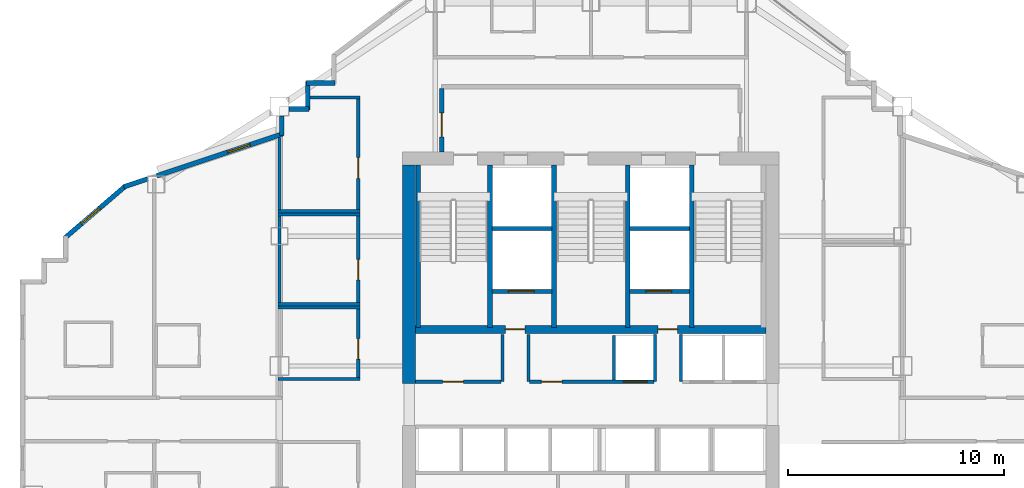
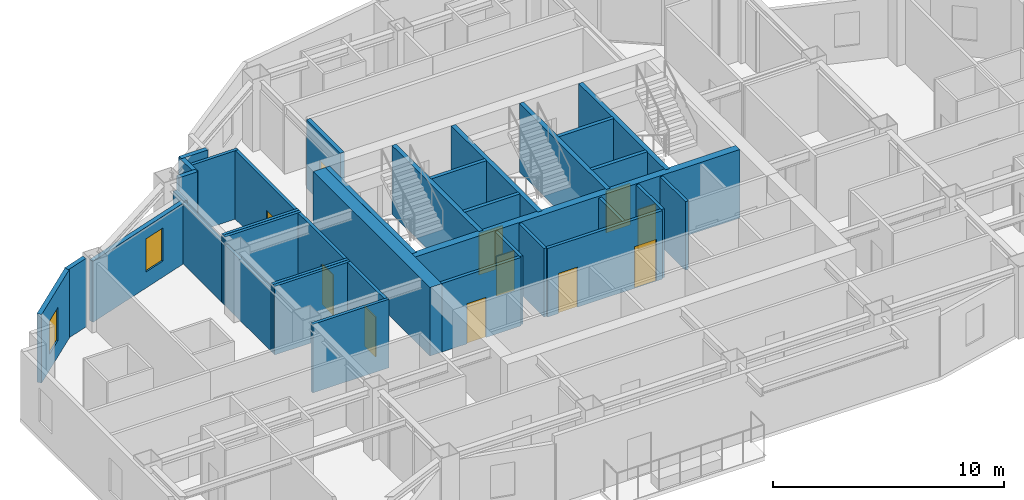
# One storey, part 6 of 11: 37 walls, 11 doors, 2 windows, 13 openings.
"""IFC4 building model written with IfcOpenShell, lengths in metres."""

import ifcopenshell
import ifcopenshell.guid

model = None  # the IFC model being written
_history = None  # IfcOwnerHistory: only IFC2X3 demands one
_inside = {}  # id of a spatial element -> (the spatial element, [elements in it])
_under = {}  # id of a project, library or spatial element -> (it, [spatial elements below it])
_declared = {}  # id of a project -> (the project, [libraries it declares])
_typed = {}  # id of a type object -> (the type object, [elements of that type])
_made_of = {}  # id of a material, layer set ... -> (it, [elements and type objects made of it])


def new_model(schema):
    """Start an empty IFC model of exactly this schema.

    Asked for "IFC4X3", IfcOpenShell would pick the latest addendum, in which some entities
    have other attributes; the version numbers below select the first issue.
    IFC2X3 requires an IfcOwnerHistory on every rooted entity: one is made here for all.
    """
    global model, _history
    if schema == "IFC4X3":
        model = ifcopenshell.file(schema_version=(4, 3, 0, 0))
    else:
        model = ifcopenshell.file(schema=schema)
    _inside.clear()
    _under.clear()
    _declared.clear()
    _typed.clear()
    _made_of.clear()
    _history = None
    if model.schema == "IFC2X3":
        org = make("IfcOrganization", Name="unknown")
        user = make(
            "IfcPersonAndOrganization",
            ThePerson=make("IfcPerson", FamilyName="unknown"),
            TheOrganization=org,
        )
        app = make(
            "IfcApplication",
            ApplicationDeveloper=org,
            Version="unknown",
            ApplicationFullName="unknown",
            ApplicationIdentifier="unknown",
        )
        _history = make(
            "IfcOwnerHistory",
            OwningUser=user,
            OwningApplication=app,
            ChangeAction="ADDED",
            CreationDate=0,
        )
    return model


def make(cls, **values):
    """One entity of the class cls with the attributes given. An attribute that is None is left unset."""
    return model.create_entity(
        cls, **{name: value for name, value in values.items() if value is not None}
    )


def rooted(cls, **values):
    """An entity with a GlobalId (a new one), such as an element, a storey or a relation."""
    return make(cls, GlobalId=ifcopenshell.guid.new(), OwnerHistory=_history, **values)


def si_unit(unit_type, name, prefix=None):
    """IfcSIUnit, for example si_unit("LENGTHUNIT", "METRE", prefix="MILLI")."""
    return make("IfcSIUnit", UnitType=unit_type, Prefix=prefix, Name=name)


def assignment(units):
    """IfcUnitAssignment: the units of a project."""
    return None if units is None else make("IfcUnitAssignment", Units=units)


def point(xyz):
    """IfcCartesianPoint."""
    return None if xyz is None else make("IfcCartesianPoint", Coordinates=xyz)


def direction(xyz):
    """IfcDirection."""
    return None if xyz is None else make("IfcDirection", DirectionRatios=xyz)


def frame(location, z_axis=None, x_axis=None):
    """IfcAxis2Placement3D, a coordinate frame: its origin and axes. An axis left out is left unset."""
    return make(
        "IfcAxis2Placement3D",
        Location=point(location),
        Axis=direction(z_axis),
        RefDirection=direction(x_axis),
    )


def frame_2d(location, x_axis=None):
    """IfcAxis2Placement2D, a coordinate frame in the plane: its origin and x axis."""
    return make(
        "IfcAxis2Placement2D", Location=point(location), RefDirection=direction(x_axis)
    )


def origin():
    """The frame at (0, 0, 0) with its axes left unset."""
    return frame((0.0, 0.0, 0.0))


def place(relative_to, where):
    """IfcLocalPlacement: puts the frame where relative to a parent placement (None: the world)."""
    return make(
        "IfcLocalPlacement", PlacementRelTo=relative_to, RelativePlacement=where
    )


def context(
    kind, dimensions, precision=None, world=None, true_north=None, identifier=None
):
    """IfcGeometricRepresentationContext, for example the 3D "Model" context."""
    return make(
        "IfcGeometricRepresentationContext",
        ContextIdentifier=identifier,
        ContextType=kind,
        CoordinateSpaceDimension=dimensions,
        Precision=precision,
        WorldCoordinateSystem=world,
        TrueNorth=true_north,
    )


def subcontext(parent, identifier, kind, view, scale=None):
    """IfcGeometricRepresentationSubContext, for example "Body" below "Model"."""
    return make(
        "IfcGeometricRepresentationSubContext",
        ContextIdentifier=identifier,
        ContextType=kind,
        ParentContext=parent,
        TargetScale=scale,
        TargetView=view,
    )


def project(units=None, contexts=None):
    """IfcProject with its units and contexts."""
    return rooted(
        "IfcProject",
        Name="project",
        RepresentationContexts=contexts,
        UnitsInContext=assignment(units),
    )


def spatial(cls, under=None, at=None, **own):
    """A site, building, storey or space (cls), placed at a placement, below another one or the project."""
    s = rooted(cls, ObjectPlacement=at, **own)
    if under is not None:
        _under.setdefault(under.id(), (under, []))[1].append(s)
    return s


def profile(cls, at=None, kind="AREA", **sizes):
    """A parametric profile (cls). Its sizes go by their IFC names, for example OverallWidth=200.0."""
    return make(cls, ProfileType=kind, Position=at, **sizes)


def rectangle(**sizes):
    """IfcRectangleProfileDef."""
    return profile("IfcRectangleProfileDef", **sizes)


def extrude(swept, where, along, depth):
    """IfcExtrudedAreaSolid: the profile swept, set in the frame where, extruded along a direction by depth."""
    return make(
        "IfcExtrudedAreaSolid",
        SweptArea=swept,
        Position=where,
        ExtrudedDirection=direction(along),
        Depth=depth,
    )


def shape(context_of_items, identifier, shape_type, items):
    """IfcShapeRepresentation: the items that make up one representation, for example the "Body"."""
    return make(
        "IfcShapeRepresentation",
        ContextOfItems=context_of_items,
        RepresentationIdentifier=identifier,
        RepresentationType=shape_type,
        Items=items,
    )


def material(Name=None, Category=None):
    """IfcMaterial."""
    return make("IfcMaterial", Name=Name, Category=Category)


def layer(
    of_material, thickness, ventilated=None, Name=None, Category=None, Priority=None
):
    """IfcMaterialLayer: one layer of a wall or slab, of a material (None: an air gap)."""
    return make(
        "IfcMaterialLayer",
        Material=of_material,
        LayerThickness=thickness,
        IsVentilated=ventilated,
        Name=Name,
        Category=Category,
        Priority=Priority,
    )


def layer_set(layers, Name=None):
    """IfcMaterialLayerSet."""
    return make("IfcMaterialLayerSet", MaterialLayers=layers, LayerSetName=Name)


def made_of(thing, what):
    """Note that an element or type object is made of a material, layer set ...; save() writes the relation."""
    if what is not None:
        _made_of.setdefault(what.id(), (what, []))[1].append(thing)
    return thing


def type_object(cls, material=None, **own):
    """A type object (cls), such as IfcWallType, which elements share."""
    return made_of(rooted(cls, **own), material)


def element(
    cls,
    number,
    at=None,
    inside=None,
    cuts=None,
    type_object=None,
    material=None,
    context=None,
    identifier="Body",
    shape_type=None,
    held_by="IfcProductDefinitionShape",
    body=None,
    shapes=None,
    **own,
):
    """One element of the class cls, such as IfcWall. Its Tag is "e" and its number.

    at: its placement. inside: the storey or other place that contains it. cuts: it is an
    opening in that element (IfcRelVoidsElement). A single representation is given by context,
    identifier, shape_type and body (its items); several are given by shapes. held_by: the class
    of the entity that holds the representations. save() writes the other relations.
    """
    e = rooted(cls, Tag="e%d" % number, ObjectPlacement=at, **own)
    if body is not None:
        shapes = [shape(context, identifier, shape_type, body)]
    if shapes is not None:
        e.Representation = make(held_by, Representations=shapes)
    if inside is not None:
        _inside.setdefault(inside.id(), (inside, []))[1].append(e)
    if cuts is not None:
        rooted(
            "IfcRelVoidsElement", RelatingBuildingElement=cuts, RelatedOpeningElement=e
        )
    if type_object is not None:
        _typed.setdefault(type_object.id(), (type_object, []))[1].append(e)
    return made_of(e, material)


def fill(opening, filler):
    """IfcRelFillsElement: the door or window that sits in an opening."""
    return rooted(
        "IfcRelFillsElement",
        RelatingOpeningElement=opening,
        RelatedBuildingElement=filler,
    )


def aggregate(whole, parts):
    """IfcRelAggregates: a whole, such as a stair, and the parts it consists of."""
    return rooted("IfcRelAggregates", RelatingObject=whole, RelatedObjects=parts)


def save(model, path):
    """Write the relations noted so far, then the file.

    IfcRelAggregates (storeys below a building ...), IfcRelContainedInSpatialStructure (elements
    in a storey), IfcRelDefinesByType, IfcRelAssociatesMaterial and IfcRelDeclares: one each for
    every whole, place, type object, material and project.
    """
    for whole, parts in _under.values():
        aggregate(whole, parts)
    for where, things in _inside.values():
        rooted(
            "IfcRelContainedInSpatialStructure",
            RelatedElements=things,
            RelatingStructure=where,
        )
    for kind, things in _typed.values():
        rooted("IfcRelDefinesByType", RelatedObjects=things, RelatingType=kind)
    for what, things in _made_of.values():
        rooted("IfcRelAssociatesMaterial", RelatedObjects=things, RelatingMaterial=what)
    for by, libraries in _declared.values():
        rooted("IfcRelDeclares", RelatingContext=by, RelatedDefinitions=libraries)
    model.write(path)


model = new_model("IFC4")

# Units and contexts
model_context = context("Model", 3, precision=1e-05, world=origin(), true_north=direction((0.0, 1.0)))
body_context = subcontext(model_context, "Body", "Model", "MODEL_VIEW")
ifc_project = project(units=[si_unit("LENGTHUNIT", "METRE"), si_unit("AREAUNIT", "SQUARE_METRE"), si_unit("VOLUMEUNIT", "CUBIC_METRE"), si_unit("PLANEANGLEUNIT", "RADIAN"), si_unit("MASSUNIT", "GRAM", prefix="KILO")], contexts=[model_context])

# Site, building, storey
site_placement = place(None, origin())
site = spatial("IfcSite", under=ifc_project, at=site_placement, CompositionType="ELEMENT")
building_placement = place(site_placement, origin())
building = spatial("IfcBuilding", under=site, at=building_placement, Name="Haolan Belvedere Tower", CompositionType="ELEMENT")
storey_placement = place(building_placement, frame((0.0, 0.0, 172.800048828125)))
storey = spatial("IfcBuildingStorey", under=building, at=storey_placement, Name="L43", CompositionType="ELEMENT", Elevation=172.800048828125)

# Walls
ifc_material_1 = material(Name="Concrete C60/75", Category="concrete")
ifc_layer_1 = layer(ifc_material_1, 0.60009765625, Name="Concrete C60/75")
ifc_layer_set_1 = layer_set([ifc_layer_1], Name="Concrete C60/75")
wall_type_1 = type_object("IfcWallType", Name="WL-CORE-600", PredefinedType="SHEAR", material=ifc_layer_set_1)
wall_1_placement = place(storey_placement, frame((30.0, 32.800048828125, 0.0), z_axis=(0.0, 0.0, 1.0), x_axis=(0.0, 1.0, 0.0)))
element("IfcWall", 1, at=wall_1_placement, inside=storey, type_object=wall_type_1, Name="L43 central core shear wall WN", PredefinedType="SHEAR", context=body_context, shape_type="SweptSolid", body=[
    extrude(rectangle(XDim=10.099853515625, YDim=0.60009765625, at=frame_2d((5.0498046875, 0.0))), origin(), (0.0, 0.0, 1.0), 3.619873046875),
])
ifc_material_2 = material(Name="Precast concrete C40/50", Category="concrete")
ifc_layer_2 = layer(ifc_material_2, 0.219970703125, Name="Precast concrete C40/50")
ifc_layer_set_2 = layer_set([ifc_layer_2], Name="Precast concrete C40/50")
wall_type_2 = type_object("IfcWallType", Name="WL-EXT-220", PredefinedType="SOLIDWALL", material=ifc_layer_set_2)
for number, where, z_axis, x_axis, name in (
    (2, (26.56494140625, 46.68994140625, 0.0), (0.0, 0.0, 1.0), (-1.0, 0.0, 0.0), "L43 pale-metal exterior spandrel wall 25.1"),
    (3, (25.31005859375, 46.7451171875, 0.0), (0.0, 0.0, 1.0), (0.0, -1.0, 0.0), "L43 pale-metal exterior spandrel wall 26.1"),
):
    element("IfcWall", number, at=place(storey_placement, frame(where, z_axis=z_axis, x_axis=x_axis)), inside=storey, type_object=wall_type_2, Name=name, PredefinedType="SOLIDWALL", context=body_context, shape_type="SweptSolid", body=[
        extrude(rectangle(XDim=1.31005859375, YDim=0.219970703125, at=frame_2d((0.655029296875, 0.0))), origin(), (0.0, 0.0, 1.0), 3.619873046875),
    ])
wall_2_placement = place(storey_placement, frame((25.364990234375, 45.489990234375, 0.0), z_axis=(0.0, 0.0, 1.0), x_axis=(-1.0, 0.0, 0.0)))
element("IfcWall", 4, at=wall_2_placement, inside=storey, type_object=wall_type_2, Name="L43 pale-metal exterior spandrel wall 27.1", PredefinedType="SOLIDWALL", context=body_context, shape_type="SweptSolid", body=[
    extrude(rectangle(XDim=0.923095703125, YDim=0.219970703125, at=frame_2d((0.46142578125, 0.0))), origin(), (0.0, 0.0, 1.0), 3.619873046875),
])
wall_3_placement = place(storey_placement, frame((24.110107421875, 45.157958984375, 0.0), z_axis=(0.0, 0.0, 1.0), x_axis=(0.0, -1.0, 0.0)))
element("IfcWall", 5, at=wall_3_placement, inside=storey, type_object=wall_type_2, Name="L43 pale-metal exterior spandrel wall 28.1", PredefinedType="SOLIDWALL", context=body_context, shape_type="SweptSolid", body=[
    extrude(rectangle(XDim=0.892333984375, YDim=0.219970703125, at=frame_2d((0.4462890625, 0.0))), origin(), (0.0, 0.0, 1.0), 3.21484375),
])

# Wall, opening, window
wall_4_placement = place(storey_placement, frame((24.162109375, 44.338134765625, 0.0), z_axis=(0.0, 0.0, 1.0), x_axis=(-0.948687265055, -0.316215864755, 0.0)))
wall_4 = element("IfcWall", 6, at=wall_4_placement, inside=storey, type_object=wall_type_2, Name="L43 pale-metal exterior spandrel wall 29.1", PredefinedType="SOLIDWALL", context=body_context, shape_type="SweptSolid", body=[
    extrude(rectangle(XDim=6.154052734375, YDim=0.219970703125, at=frame_2d((3.0771484375, 0.0))), origin(), (0.0, 0.0, 1.0), 3.21484375),
])
opening_1_placement = place(wall_4_placement, frame((1.60009765625, 0.0, 0.85009765625)))
opening_1 = element("IfcOpeningElement", 7, at=opening_1_placement, cuts=wall_4, Name="Opening W-03", PredefinedType="OPENING", context=body_context, shape_type="SweptSolid", body=[
    extrude(rectangle(XDim=1.10009765625, YDim=1.75, at=frame_2d((0.550048828125, 0.875))), frame((0.0, 0.119873046875, 0.0), z_axis=(0.0, -1.0, 0.0), x_axis=(1.0, 0.0, 0.0)), (0.0, 0.0, 1.0), 0.239990234375),
])
ifc_material_3 = material(Name="Anodised aluminium 6063-T6 and Low-E glass", Category="aluminium")
window_type = type_object("IfcWindowType", Name="WN-DECO-Z3", PartitioningType="SINGLE_PANEL", PredefinedType="WINDOW", material=ifc_material_3)
window_1_placement = place(opening_1_placement, origin())
window_1 = element("IfcWindow", 8, at=window_1_placement, inside=storey, type_object=window_type, Name="L43 Art Deco chevron window 1", OverallHeight=1.75, OverallWidth=1.10009765625, PartitioningType="SINGLE_PANEL", PredefinedType="WINDOW", context=body_context, shape_type="SweptSolid", body=[
    extrude(rectangle(XDim=1.10009765625, YDim=1.75, at=frame_2d((0.550048828125, 0.875))), frame((0.0, 0.030029296875, 0.0), z_axis=(0.0, -1.0, 0.0), x_axis=(1.0, 0.0, 0.0)), (0.0, 0.0, 1.0), 0.06005859375),
])
fill(opening_1, window_1)

# Wall
wall_5_placement = place(storey_placement, frame((17.907958984375, 42.25341796875, 0.0), z_axis=(0.0, 0.0, 1.0), x_axis=(-0.948662335685, -0.316290646166, 0.0)))
element("IfcWall", 9, at=wall_5_placement, inside=storey, type_object=wall_type_2, Name="L43 pale-metal exterior spandrel wall 29.2", PredefinedType="SOLIDWALL", context=body_context, shape_type="SweptSolid", body=[
    extrude(rectangle(XDim=1.164794921875, YDim=0.219970703125, at=frame_2d((0.58251953125, 0.0))), origin(), (0.0, 0.0, 1.0), 3.619873046875),
])

# Wall, opening, window
wall_6_placement = place(storey_placement, frame((16.89697265625, 41.938232421875, 0.0), z_axis=(0.0, 0.0, 1.0), x_axis=(-0.759279729622, -0.650764390686, 0.0)))
wall_6 = element("IfcWall", 10, at=wall_6_placement, inside=storey, type_object=wall_type_2, Name="L43 pale-metal exterior spandrel wall 30.1", PredefinedType="SOLIDWALL", context=body_context, shape_type="SweptSolid", body=[
    extrude(rectangle(XDim=3.725830078125, YDim=0.219970703125, at=frame_2d((1.86279296875, 0.0))), origin(), (0.0, 0.0, 1.0), 3.619873046875),
])
opening_2_placement = place(wall_6_placement, frame((1.60009765625, 0.0, 0.85009765625)))
opening_2 = element("IfcOpeningElement", 11, at=opening_2_placement, cuts=wall_6, Name="Opening W-03", PredefinedType="OPENING", context=body_context, shape_type="SweptSolid", body=[
    extrude(rectangle(XDim=1.10009765625, YDim=1.75, at=frame_2d((0.550048828125, 0.875))), frame((0.0, 0.119873046875, 0.0), z_axis=(0.0, -1.0, 0.0), x_axis=(1.0, 0.0, 0.0)), (0.0, 0.0, 1.0), 0.239990234375),
])
window_2_placement = place(opening_2_placement, origin())
window_2 = element("IfcWindow", 12, at=window_2_placement, inside=storey, type_object=window_type, Name="L43 Art Deco chevron window 1", OverallHeight=1.75, OverallWidth=1.10009765625, PartitioningType="SINGLE_PANEL", PredefinedType="WINDOW", context=body_context, shape_type="SweptSolid", body=[
    extrude(rectangle(XDim=1.10009765625, YDim=1.75, at=frame_2d((0.550048828125, 0.875))), frame((0.0, 0.030029296875, 0.0), z_axis=(0.0, -1.0, 0.0), x_axis=(1.0, 0.0, 0.0)), (0.0, 0.0, 1.0), 0.06005859375),
])
fill(opening_2, window_2)

# Wall, opening, door
ifc_material_4 = material(Name="Concrete C40/50", Category="concrete")
ifc_layer_3 = layer(ifc_material_4, 0.199951171875, Name="Concrete C40/50")
ifc_layer_set_3 = layer_set([ifc_layer_3], Name="Concrete C40/50")
wall_type_3 = type_object("IfcWallType", Name="WL-FIRE-200", PredefinedType="SOLIDWALL", material=ifc_layer_set_3)
wall_7_placement = place(storey_placement, frame((31.5, 43.5, 0.0), z_axis=(0.0, 0.0, 1.0), x_axis=(0.0, 1.0, 0.0)))
wall_7 = element("IfcWall", 13, at=wall_7_placement, inside=storey, type_object=wall_type_3, Name="L43 interior partition IW-L43-FFL-W", PredefinedType="SOLIDWALL", context=body_context, shape_type="SweptSolid", body=[
    extrude(rectangle(XDim=2.93505859375, YDim=0.199951171875, at=frame_2d((1.467529296875, 0.0))), origin(), (0.0, 0.0, 1.0), 3.619873046875),
])
opening_3_placement = place(wall_7_placement, frame((1.800048828125, 0.0, 0.0), z_axis=(0.0, 0.0, 1.0), x_axis=(-1.0, 0.0, 0.0)))
opening_3 = element("IfcOpeningElement", 14, at=opening_3_placement, cuts=wall_7, Name="Opening FD-03", PredefinedType="OPENING", context=body_context, shape_type="SweptSolid", body=[
    extrude(rectangle(XDim=1.10009765625, YDim=2.14990234375, at=frame_2d((0.550048828125, 1.074951171875))), frame((0.0, 0.10986328125, 0.0), z_axis=(0.0, -1.0, 0.0), x_axis=(1.0, 0.0, 0.0)), (0.0, 0.0, 1.0), 0.219970703125),
])
ifc_material_5 = material(Name="Galvanised fire-rated steel", Category="steel")
door_type_1 = type_object("IfcDoorType", Name="DR-FD90-1100", OperationType="NOTDEFINED", PredefinedType="DOOR", material=ifc_material_5)
door_1_placement = place(opening_3_placement, origin())
door_1 = element("IfcDoor", 15, at=door_1_placement, inside=storey, type_object=door_type_1, Name="L43 door ID-L43-FFL-DW", OperationType="SINGLE_SWING_LEFT", OverallHeight=2.14990234375, OverallWidth=1.10009765625, PredefinedType="DOOR", context=body_context, shape_type="SweptSolid", body=[
    extrude(rectangle(XDim=1.10009765625, YDim=2.14990234375, at=frame_2d((0.550048828125, 1.074951171875))), frame((0.0, 0.02490234375, 0.0), z_axis=(0.0, -1.0, 0.0), x_axis=(1.0, 0.0, 0.0)), (0.0, 0.0, 1.0), 0.050048828125),
])
fill(opening_3, door_1)

# Walls
ifc_material_6 = material(Name="Double gypsum acoustic stud partition", Category="masonry")
ifc_layer_4 = layer(ifc_material_6, 0.14990234375, Name="Double gypsum acoustic stud partition")
ifc_layer_set_4 = layer_set([ifc_layer_4], Name="Double gypsum acoustic stud partition")
wall_type_4 = type_object("IfcWallType", Name="WL-PART-150", PredefinedType="PARTITIONING", material=ifc_layer_set_4)
for number, where, z_axis, x_axis, name in (
    (16, (23.919921875, 36.300048828125, 0.0), (0.0, 0.0, 1.0), (1.0, 0.0, 0.0), "L43 interior partition IW-L43-AWC-N"),
    (17, (23.919921875, 33.0, 0.0), (0.0, 0.0, 1.0), (1.0, 0.0, 0.0), "L43 interior partition IW-L43-AWC-S"),
):
    element("IfcWall", number, at=place(storey_placement, frame(where, z_axis=z_axis, x_axis=x_axis)), inside=storey, type_object=wall_type_4, Name=name, PredefinedType="PARTITIONING", context=body_context, shape_type="SweptSolid", body=[
        extrude(rectangle(XDim=3.800048828125, YDim=0.14990234375, at=frame_2d((1.89990234375, 0.0))), origin(), (0.0, 0.0, 1.0), 3.619873046875),
    ])

# Wall, opening, door
wall_8_placement = place(storey_placement, frame((27.639892578125, 33.06005859375, 0.0), z_axis=(0.0, 0.0, 1.0), x_axis=(0.0, 1.0, 0.0)))
wall_8 = element("IfcWall", 18, at=wall_8_placement, inside=storey, type_object=wall_type_4, Name="L43 interior partition IW-L43-AWC-E", PredefinedType="PARTITIONING", context=body_context, shape_type="SweptSolid", body=[
    extrude(rectangle(XDim=3.179931640625, YDim=0.14990234375, at=frame_2d((1.58984375, 0.0))), origin(), (0.0, 0.0, 1.0), 3.619873046875),
])
opening_4_placement = place(wall_8_placement, frame((1.81005859375, 0.0, 0.0), z_axis=(0.0, 0.0, 1.0), x_axis=(-1.0, 0.0, 0.0)))
opening_4 = element("IfcOpeningElement", 19, at=opening_4_placement, cuts=wall_8, Name="Opening ID-03", PredefinedType="OPENING", context=body_context, shape_type="SweptSolid", body=[
    extrude(rectangle(XDim=0.949951171875, YDim=2.1201171875, at=frame_2d((0.47509765625, 1.06005859375))), frame((0.0, 0.0849609375, 0.0), z_axis=(0.0, -1.0, 0.0), x_axis=(1.0, 0.0, 0.0)), (0.0, 0.0, 1.0), 0.169921875),
])
ifc_material_7 = material(Name="Painted solid-core timber", Category="wood")
door_type_2 = type_object("IfcDoorType", Name="DR-INT-950", OperationType="NOTDEFINED", PredefinedType="DOOR", material=ifc_material_7)
door_2_placement = place(opening_4_placement, origin())
door_2 = element("IfcDoor", 20, at=door_2_placement, inside=storey, type_object=door_type_2, Name="L43 door ID-L43-AWC", OperationType="SINGLE_SWING_LEFT", OverallHeight=2.1201171875, OverallWidth=0.949951171875, PredefinedType="DOOR", context=body_context, shape_type="SweptSolid", body=[
    extrude(rectangle(XDim=0.949951171875, YDim=2.1201171875, at=frame_2d((0.47509765625, 1.06005859375))), frame((0.0, 0.02490234375, 0.0), z_axis=(0.0, -1.0, 0.0), x_axis=(1.0, 0.0, 0.0)), (0.0, 0.0, 1.0), 0.050048828125),
])
fill(opening_4, door_2)

# Walls
for number, where, z_axis, x_axis, name in (
    (21, (23.919921875, 40.60009765625, 0.0), (0.0, 0.0, 1.0), (1.0, 0.0, 0.0), "L43 interior partition IW-L43-PNT-N"),
    (22, (23.919921875, 36.4599609375, 0.0), (0.0, 0.0, 1.0), (1.0, 0.0, 0.0), "L43 interior partition IW-L43-PNT-S"),
):
    element("IfcWall", number, at=place(storey_placement, frame(where, z_axis=z_axis, x_axis=x_axis)), inside=storey, type_object=wall_type_4, Name=name, PredefinedType="PARTITIONING", context=body_context, shape_type="SweptSolid", body=[
        extrude(rectangle(XDim=3.800048828125, YDim=0.14990234375, at=frame_2d((1.89990234375, 0.0))), origin(), (0.0, 0.0, 1.0), 3.619873046875),
    ])
wall_9_placement = place(storey_placement, frame((24.0, 36.52001953125, 0.0), z_axis=(0.0, 0.0, 1.0), x_axis=(0.0, 1.0, 0.0)))
element("IfcWall", 23, at=wall_9_placement, inside=storey, type_object=wall_type_4, Name="L43 interior partition IW-L43-PNT-W", PredefinedType="PARTITIONING", context=body_context, shape_type="SweptSolid", body=[
    extrude(rectangle(XDim=4.02001953125, YDim=0.14990234375, at=frame_2d((2.010009765625, 0.0))), origin(), (0.0, 0.0, 1.0), 3.21484375),
])

# Wall, opening, door
wall_10_placement = place(storey_placement, frame((27.639892578125, 36.52001953125, 0.0), z_axis=(0.0, 0.0, 1.0), x_axis=(0.0, 1.0, 0.0)))
wall_10 = element("IfcWall", 24, at=wall_10_placement, inside=storey, type_object=wall_type_4, Name="L43 interior partition IW-L43-PNT-E", PredefinedType="PARTITIONING", context=body_context, shape_type="SweptSolid", body=[
    extrude(rectangle(XDim=4.02001953125, YDim=0.14990234375, at=frame_2d((2.010009765625, 0.0))), origin(), (0.0, 0.0, 1.0), 3.619873046875),
])
opening_5_placement = place(wall_10_placement, frame((2.010009765625, 0.0, 0.0), z_axis=(0.0, 0.0, 1.0), x_axis=(-1.0, 0.0, 0.0)))
opening_5 = element("IfcOpeningElement", 25, at=opening_5_placement, cuts=wall_10, Name="Opening ID-03", PredefinedType="OPENING", context=body_context, shape_type="SweptSolid", body=[
    extrude(rectangle(XDim=0.949951171875, YDim=2.1201171875, at=frame_2d((0.47509765625, 1.06005859375))), frame((0.0, 0.0849609375, 0.0), z_axis=(0.0, -1.0, 0.0), x_axis=(1.0, 0.0, 0.0)), (0.0, 0.0, 1.0), 0.169921875),
])
door_3_placement = place(opening_5_placement, origin())
door_3 = element("IfcDoor", 26, at=door_3_placement, inside=storey, type_object=door_type_2, Name="L43 door ID-L43-PNT", OperationType="SINGLE_SWING_RIGHT", OverallHeight=2.1201171875, OverallWidth=0.949951171875, PredefinedType="DOOR", context=body_context, shape_type="SweptSolid", body=[
    extrude(rectangle(XDim=0.949951171875, YDim=2.1201171875, at=frame_2d((0.47509765625, 1.06005859375))), frame((0.0, 0.02490234375, 0.0), z_axis=(0.0, -1.0, 0.0), x_axis=(1.0, 0.0, 0.0)), (0.0, 0.0, 1.0), 0.050048828125),
])
fill(opening_5, door_3)

# Walls
wall_11_placement = place(storey_placement, frame((25.412109375, 46.02001953125, 0.0), z_axis=(0.0, 0.0, 1.0), x_axis=(1.0, 0.0, 0.0)))
element("IfcWall", 27, at=wall_11_placement, inside=storey, type_object=wall_type_4, Name="L43 interior partition IW-L43-STY-N", PredefinedType="PARTITIONING", context=body_context, shape_type="SweptSolid", body=[
    extrude(rectangle(XDim=2.307861328125, YDim=0.14990234375, at=frame_2d((1.15380859375, 0.0))), origin(), (0.0, 0.0, 1.0), 3.619873046875),
])
wall_12_placement = place(storey_placement, frame((23.919921875, 40.760009765625, 0.0), z_axis=(0.0, 0.0, 1.0), x_axis=(1.0, 0.0, 0.0)))
element("IfcWall", 28, at=wall_12_placement, inside=storey, type_object=wall_type_4, Name="L43 interior partition IW-L43-STY-S", PredefinedType="PARTITIONING", context=body_context, shape_type="SweptSolid", body=[
    extrude(rectangle(XDim=3.800048828125, YDim=0.14990234375, at=frame_2d((1.89990234375, 0.0))), origin(), (0.0, 0.0, 1.0), 3.619873046875),
])
wall_13_placement = place(storey_placement, frame((24.0, 40.820068359375, 0.0), z_axis=(0.0, 0.0, 1.0), x_axis=(0.0, 1.0, 0.0)))
element("IfcWall", 29, at=wall_13_placement, inside=storey, type_object=wall_type_4, Name="L43 interior partition IW-L43-STY-W", PredefinedType="PARTITIONING", context=body_context, shape_type="SweptSolid", body=[
    extrude(rectangle(XDim=3.3564453125, YDim=0.14990234375, at=frame_2d((1.67822265625, 0.0))), origin(), (0.0, 0.0, 1.0), 3.21484375),
])

# Wall, opening, door
wall_14_placement = place(storey_placement, frame((27.639892578125, 40.820068359375, 0.0), z_axis=(0.0, 0.0, 1.0), x_axis=(0.0, 1.0, 0.0)))
wall_14 = element("IfcWall", 30, at=wall_14_placement, inside=storey, type_object=wall_type_4, Name="L43 interior partition IW-L43-STY-E", PredefinedType="PARTITIONING", context=body_context, shape_type="SweptSolid", body=[
    extrude(rectangle(XDim=5.139892578125, YDim=0.14990234375, at=frame_2d((2.56982421875, 0.0))), origin(), (0.0, 0.0, 1.0), 3.619873046875),
])
opening_6_placement = place(wall_14_placement, frame((2.409912109375, 0.0, 0.0), z_axis=(0.0, 0.0, 1.0), x_axis=(-1.0, 0.0, 0.0)))
opening_6 = element("IfcOpeningElement", 31, at=opening_6_placement, cuts=wall_14, Name="Opening ID-03", PredefinedType="OPENING", context=body_context, shape_type="SweptSolid", body=[
    extrude(rectangle(XDim=0.949951171875, YDim=2.1201171875, at=frame_2d((0.47509765625, 1.06005859375))), frame((0.0, 0.0849609375, 0.0), z_axis=(0.0, -1.0, 0.0), x_axis=(1.0, 0.0, 0.0)), (0.0, 0.0, 1.0), 0.169921875),
])
door_4_placement = place(opening_6_placement, origin())
door_4 = element("IfcDoor", 32, at=door_4_placement, inside=storey, type_object=door_type_2, Name="L43 door ID-L43-STY", OperationType="SINGLE_SWING_LEFT", OverallHeight=2.1201171875, OverallWidth=0.949951171875, PredefinedType="DOOR", context=body_context, shape_type="SweptSolid", body=[
    extrude(rectangle(XDim=0.949951171875, YDim=2.1201171875, at=frame_2d((0.47509765625, 1.06005859375))), frame((0.0, 0.02490234375, 0.0), z_axis=(0.0, -1.0, 0.0), x_axis=(1.0, 0.0, 0.0)), (0.0, 0.0, 1.0), 0.050048828125),
])
fill(opening_6, door_4)

# Walls
ifc_material_8 = material(Name="Gypsum fire shaftwall assembly", Category="masonry")
ifc_layer_5 = layer(ifc_material_8, 0.1650390625, Name="Gypsum fire shaftwall assembly")
ifc_layer_set_5 = layer_set([ifc_layer_5], Name="Gypsum fire shaftwall assembly")
wall_type_5 = type_object("IfcWallType", Name="WL-SHAFT-160", PredefinedType="SOLIDWALL", material=ifc_layer_set_5)
for number, where, z_axis, x_axis, name in (
    (33, (34.31005859375, 32.8798828125, 0.0), (0.0, 0.0, 1.0), (0.0, 1.0, 0.0), "L43 interior partition IW-L43-SVP-W-SV1"),
    (34, (35.510009765625, 32.8798828125, 0.0), (0.0, 0.0, 1.0), (0.0, 1.0, 0.0), "L43 interior partition IW-L43-SVP-E-SV1"),
    (35, (41.3701171875, 32.8798828125, 0.0), (0.0, 0.0, 1.0), (0.0, 1.0, 0.0), "L43 interior partition IW-L43-SVP-W-SV2"),
    (36, (42.570068359375, 32.8798828125, 0.0), (0.0, 0.0, 1.0), (0.0, 1.0, 0.0), "L43 interior partition IW-L43-SVP-E-SV2"),
):
    element("IfcWall", number, at=place(storey_placement, frame(where, z_axis=z_axis, x_axis=x_axis)), inside=storey, type_object=wall_type_5, Name=name, PredefinedType="SOLIDWALL", context=body_context, shape_type="SweptSolid", body=[
        extrude(rectangle(XDim=2.170166015625, YDim=0.14990234375, at=frame_2d((1.0849609375, 0.0))), origin(), (0.0, 0.0, 1.0), 3.619873046875),
    ])

# Wall, opening, door
wall_15_placement = place(storey_placement, frame((30.300048828125, 32.8798828125, 0.0), z_axis=(0.0, 0.0, 1.0), x_axis=(1.0, 0.0, 0.0)))
wall_15 = element("IfcWall", 37, at=wall_15_placement, inside=storey, type_object=wall_type_5, Name="L43 interior partition IW-L43-ROW-PN1", PredefinedType="SOLIDWALL", context=body_context, shape_type="SweptSolid", body=[
    extrude(rectangle(XDim=3.949951171875, YDim=0.159912109375, at=frame_2d((1.97509765625, 0.0))), origin(), (0.0, 0.0, 1.0), 3.619873046875),
])
opening_7_placement = place(wall_15_placement, frame((2.199951171875, 0.0, 0.0), z_axis=(0.0, 0.0, 1.0), x_axis=(-1.0, 0.0, 0.0)))
opening_7 = element("IfcOpeningElement", 38, at=opening_7_placement, cuts=wall_15, Name="Opening ID-03", PredefinedType="OPENING", context=body_context, shape_type="SweptSolid", body=[
    extrude(rectangle(XDim=0.949951171875, YDim=2.1201171875, at=frame_2d((0.47509765625, 1.06005859375))), frame((0.0, 0.08984375, 0.0), z_axis=(0.0, -1.0, 0.0), x_axis=(1.0, 0.0, 0.0)), (0.0, 0.0, 1.0), 0.179931640625),
])
door_5_placement = place(opening_7_placement, origin())
door_5 = element("IfcDoor", 39, at=door_5_placement, inside=storey, type_object=door_type_2, Name="L43 door ID-L43-CD-RPLW", OperationType="SINGLE_SWING_LEFT", OverallHeight=2.1201171875, OverallWidth=0.949951171875, PredefinedType="DOOR", context=body_context, shape_type="SweptSolid", body=[
    extrude(rectangle(XDim=0.949951171875, YDim=2.1201171875, at=frame_2d((0.47509765625, 1.06005859375))), frame((0.0, 0.02490234375, 0.0), z_axis=(0.0, -1.0, 0.0), x_axis=(1.0, 0.0, 0.0)), (0.0, 0.0, 1.0), 0.050048828125),
])
fill(opening_7, door_5)

# Wall, openings, doors
wall_16_placement = place(storey_placement, frame((35.570068359375, 32.8798828125, 0.0), z_axis=(0.0, 0.0, 1.0), x_axis=(1.0, 0.0, 0.0)))
wall_16 = element("IfcWall", 40, at=wall_16_placement, inside=storey, type_object=wall_type_5, Name="L43 interior partition IW-L43-ROW-PN2", PredefinedType="SOLIDWALL", context=body_context, shape_type="SweptSolid", body=[
    extrude(rectangle(XDim=5.739990234375, YDim=0.159912109375, at=frame_2d((2.8701171875, 0.0))), origin(), (0.0, 0.0, 1.0), 3.619873046875),
])
opening_8_placement = place(wall_16_placement, frame((1.489990234375, 0.0, 0.0), z_axis=(0.0, 0.0, 1.0), x_axis=(-1.0, 0.0, 0.0)))
opening_8 = element("IfcOpeningElement", 41, at=opening_8_placement, cuts=wall_16, Name="Opening ID-03", PredefinedType="OPENING", context=body_context, shape_type="SweptSolid", body=[
    extrude(rectangle(XDim=0.949951171875, YDim=2.1201171875, at=frame_2d((0.47509765625, 1.06005859375))), frame((0.0, 0.08984375, 0.0), z_axis=(0.0, -1.0, 0.0), x_axis=(1.0, 0.0, 0.0)), (0.0, 0.0, 1.0), 0.179931640625),
])
opening_9_placement = place(wall_16_placement, frame((5.43017578125, 0.0, 0.0), z_axis=(0.0, 0.0, 1.0), x_axis=(-1.0, 0.0, 0.0)))
opening_9 = element("IfcOpeningElement", 42, at=opening_9_placement, cuts=wall_16, Name="Opening LD-01", PredefinedType="OPENING", context=body_context, shape_type="SweptSolid", body=[
    extrude(rectangle(XDim=1.10009765625, YDim=2.199951171875, at=frame_2d((0.550048828125, 1.10009765625))), frame((0.0, 0.08984375, 0.0), z_axis=(0.0, -1.0, 0.0), x_axis=(1.0, 0.0, 0.0)), (0.0, 0.0, 1.0), 0.179931640625),
])
door_6_placement = place(opening_8_placement, origin())
door_6 = element("IfcDoor", 43, at=door_6_placement, inside=storey, type_object=door_type_2, Name="L43 door ID-L43-CD-RPLE", OperationType="SINGLE_SWING_RIGHT", OverallHeight=2.1201171875, OverallWidth=0.949951171875, PredefinedType="DOOR", context=body_context, shape_type="SweptSolid", body=[
    extrude(rectangle(XDim=0.949951171875, YDim=2.1201171875, at=frame_2d((0.47509765625, 1.06005859375))), frame((0.0, 0.02490234375, 0.0), z_axis=(0.0, -1.0, 0.0), x_axis=(1.0, 0.0, 0.0)), (0.0, 0.0, 1.0), 0.050048828125),
])
fill(opening_8, door_6)
ifc_material_9 = material(Name="Brushed champagne stainless steel 316L", Category="steel")
door_type_3 = type_object("IfcDoorType", Name="DR-LIFT-1100", OperationType="SLIDING_TO_LEFT", PredefinedType="DOOR", material=ifc_material_9)
door_7_placement = place(opening_9_placement, origin())
door_7 = element("IfcDoor", 44, at=door_7_placement, inside=storey, type_object=door_type_3, Name="L43 door ID-L43-LD-PH1", OperationType="SLIDING_TO_RIGHT", OverallHeight=2.199951171875, OverallWidth=1.10009765625, PredefinedType="DOOR", context=body_context, shape_type="SweptSolid", body=[
    extrude(rectangle(XDim=1.10009765625, YDim=2.199951171875, at=frame_2d((0.550048828125, 1.10009765625))), frame((0.0, 0.02490234375, 0.0), z_axis=(0.0, -1.0, 0.0), x_axis=(1.0, 0.0, 0.0)), (0.0, 0.0, 1.0), 0.050048828125),
])
fill(opening_9, door_7)

# Walls
wall_17_placement = place(storey_placement, frame((39.469970703125, 32.949951171875, 0.0), z_axis=(0.0, 0.0, 1.0), x_axis=(0.0, 1.0, 0.0)))
element("IfcWall", 45, at=wall_17_placement, inside=storey, type_object=wall_type_5, Name="L43 interior partition IW-L43-DIV-PL4R", PredefinedType="SOLIDWALL", context=body_context, shape_type="SweptSolid", body=[
    extrude(rectangle(XDim=2.050048828125, YDim=0.14990234375, at=frame_2d((1.02490234375, 0.0))), origin(), (0.0, 0.0, 1.0), 3.619873046875),
])
ifc_layer_6 = layer(ifc_material_2, 0.179931640625, Name="Precast concrete C40/50")
ifc_layer_set_6 = layer_set([ifc_layer_6], Name="Precast concrete C40/50")
wall_type_6 = type_object("IfcWallType", Name="WL-SHAFT-180", PredefinedType="SOLIDWALL", material=ifc_layer_set_6)
for number, where, z_axis, x_axis, name in (
    (46, (33.8349609375, 39.949951171875, 0.0), (0.0, 0.0, 1.0), (1.0, 0.0, 0.0), "L43 interior partition IW-L43-FF1-S"),
    (47, (40.195068359375, 39.949951171875, 0.0), (0.0, 0.0, 1.0), (1.0, 0.0, 0.0), "L43 interior partition IW-L43-FF2-S"),
):
    element("IfcWall", number, at=place(storey_placement, frame(where, z_axis=z_axis, x_axis=x_axis)), inside=storey, type_object=wall_type_6, Name=name, PredefinedType="SOLIDWALL", context=body_context, shape_type="SweptSolid", body=[
        extrude(rectangle(XDim=2.77001953125, YDim=0.179931640625, at=frame_2d((1.385009765625, 0.0))), origin(), (0.0, 0.0, 1.0), 3.619873046875),
    ])

# Wall, opening, door
wall_18_placement = place(storey_placement, frame((33.8349609375, 37.050048828125, 0.0), z_axis=(0.0, 0.0, 1.0), x_axis=(1.0, 0.0, 0.0)))
wall_18 = element("IfcWall", 48, at=wall_18_placement, inside=storey, type_object=wall_type_6, Name="L43 interior partition IW-L43-SV1-S", PredefinedType="SOLIDWALL", context=body_context, shape_type="SweptSolid", body=[
    extrude(rectangle(XDim=2.77001953125, YDim=0.179931640625, at=frame_2d((1.385009765625, 0.0))), origin(), (0.0, 0.0, 1.0), 3.619873046875),
])
opening_10_placement = place(wall_18_placement, frame((1.945068359375, 0.0, 0.0), z_axis=(0.0, 0.0, 1.0), x_axis=(-1.0, 0.0, 0.0)))
opening_10 = element("IfcOpeningElement", 49, at=opening_10_placement, cuts=wall_18, Name="Opening LD-02", PredefinedType="OPENING", context=body_context, shape_type="SweptSolid", body=[
    extrude(rectangle(XDim=1.199951171875, YDim=2.199951171875, at=frame_2d((0.60009765625, 1.10009765625))), frame((0.0, 0.099853515625, 0.0), z_axis=(0.0, -1.0, 0.0), x_axis=(1.0, 0.0, 0.0)), (0.0, 0.0, 1.0), 0.199951171875),
])
door_type_4 = type_object("IfcDoorType", Name="DR-LIFT-1200", OperationType="SLIDING_TO_RIGHT", PredefinedType="DOOR", material=ifc_material_9)
door_8_placement = place(opening_10_placement, origin())
door_8 = element("IfcDoor", 50, at=door_8_placement, inside=storey, type_object=door_type_4, Name="L43 door ID-L43-LD-SV1", OperationType="SLIDING_TO_RIGHT", OverallHeight=2.199951171875, OverallWidth=1.199951171875, PredefinedType="DOOR", context=body_context, shape_type="SweptSolid", body=[
    extrude(rectangle(XDim=1.199951171875, YDim=2.199951171875, at=frame_2d((0.60009765625, 1.10009765625))), frame((0.0, 0.02490234375, 0.0), z_axis=(0.0, -1.0, 0.0), x_axis=(1.0, 0.0, 0.0)), (0.0, 0.0, 1.0), 0.050048828125),
])
fill(opening_10, door_8)

wall_19_placement = place(storey_placement, frame((40.195068359375, 37.050048828125, 0.0), z_axis=(0.0, 0.0, 1.0), x_axis=(1.0, 0.0, 0.0)))
wall_19 = element("IfcWall", 51, at=wall_19_placement, inside=storey, type_object=wall_type_6, Name="L43 interior partition IW-L43-SV2-S", PredefinedType="SOLIDWALL", context=body_context, shape_type="SweptSolid", body=[
    extrude(rectangle(XDim=2.77001953125, YDim=0.179931640625, at=frame_2d((1.385009765625, 0.0))), origin(), (0.0, 0.0, 1.0), 3.619873046875),
])
opening_11_placement = place(wall_19_placement, frame((1.945068359375, 0.0, 0.0), z_axis=(0.0, 0.0, 1.0), x_axis=(-1.0, 0.0, 0.0)))
opening_11 = element("IfcOpeningElement", 52, at=opening_11_placement, cuts=wall_19, Name="Opening LD-02", PredefinedType="OPENING", context=body_context, shape_type="SweptSolid", body=[
    extrude(rectangle(XDim=1.199951171875, YDim=2.199951171875, at=frame_2d((0.60009765625, 1.10009765625))), frame((0.0, 0.099853515625, 0.0), z_axis=(0.0, -1.0, 0.0), x_axis=(1.0, 0.0, 0.0)), (0.0, 0.0, 1.0), 0.199951171875),
])
door_9_placement = place(opening_11_placement, origin())
door_9 = element("IfcDoor", 53, at=door_9_placement, inside=storey, type_object=door_type_4, Name="L43 door ID-L43-LD-SV2", OperationType="SLIDING_TO_RIGHT", OverallHeight=2.199951171875, OverallWidth=1.199951171875, PredefinedType="DOOR", context=body_context, shape_type="SweptSolid", body=[
    extrude(rectangle(XDim=1.199951171875, YDim=2.199951171875, at=frame_2d((0.60009765625, 1.10009765625))), frame((0.0, 0.02490234375, 0.0), z_axis=(0.0, -1.0, 0.0), x_axis=(1.0, 0.0, 0.0)), (0.0, 0.0, 1.0), 0.050048828125),
])
fill(opening_11, door_9)

# Walls
ifc_material_10 = material(Name="Concrete C50/60", Category="concrete")
ifc_layer_7 = layer(ifc_material_10, 0.219970703125, Name="Concrete C50/60")
ifc_layer_set_7 = layer_set([ifc_layer_7], Name="Concrete C50/60")
wall_type_7 = type_object("IfcWallType", Name="WL-STAIR-220", PredefinedType="SHEAR", material=ifc_layer_set_7)
for number, where, z_axis, x_axis, name in (
    (54, (30.412109375, 35.389892578125, 0.0), (0.0, 0.0, 1.0), (0.0, 1.0, 0.0), "L43 structural stair core wall ST1W"),
    (55, (33.739990234375, 35.389892578125, 0.0), (0.0, 0.0, 1.0), (0.0, 1.0, 0.0), "L43 structural stair core wall ST1E"),
    (56, (36.699951171875, 35.389892578125, 0.0), (0.0, 0.0, 1.0), (0.0, 1.0, 0.0), "L43 structural stair core wall ST3W"),
    (57, (40.10009765625, 35.389892578125, 0.0), (0.0, 0.0, 1.0), (0.0, 1.0, 0.0), "L43 structural stair core wall ST3E"),
    (58, (43.06005859375, 35.389892578125, 0.0), (0.0, 0.0, 1.0), (0.0, 1.0, 0.0), "L43 structural stair core wall ST2W"),
):
    element("IfcWall", number, at=place(storey_placement, frame(where, z_axis=z_axis, x_axis=x_axis)), inside=storey, type_object=wall_type_7, Name=name, PredefinedType="SHEAR", context=body_context, shape_type="SweptSolid", body=[
        extrude(rectangle(XDim=7.510009765625, YDim=0.219970703125, at=frame_2d((3.7548828125, 0.0))), origin(), (0.0, 0.0, 1.0), 3.619873046875),
    ])

# Wall, openings, doors
ifc_layer_8 = layer(ifc_material_1, 0.360107421875, Name="Concrete C60/75")
ifc_layer_set_8 = layer_set([ifc_layer_8], Name="Concrete C60/75")
wall_type_8 = type_object("IfcWallType", Name="WL-WEB-350", PredefinedType="SHEAR", material=ifc_layer_set_8)
wall_20_placement = place(storey_placement, frame((30.300048828125, 35.2900390625, 0.0), z_axis=(0.0, 0.0, 1.0), x_axis=(1.0, 0.0, 0.0)))
wall_20 = element("IfcWall", 59, at=wall_20_placement, inside=storey, type_object=wall_type_8, Name="L43 central core internal shear web", PredefinedType="SHEAR", context=body_context, shape_type="SweptSolid", body=[
    extrude(rectangle(XDim=16.199951171875, YDim=0.360107421875, at=frame_2d((8.10009765625, 0.0))), origin(), (0.0, 0.0, 1.0), 3.619873046875),
])
opening_12_placement = place(wall_20_placement, frame((5.0498046875, 0.0, 0.0), z_axis=(0.0, 0.0, 1.0), x_axis=(-1.0, 0.0, 0.0)))
opening_12 = element("IfcOpeningElement", 60, at=opening_12_placement, cuts=wall_20, Name="Opening FD-05", PredefinedType="OPENING", context=body_context, shape_type="SweptSolid", body=[
    extrude(rectangle(XDim=0.89990234375, YDim=2.10009765625, at=frame_2d((0.449951171875, 1.050048828125))), frame((0.0, 0.18994140625, 0.0), z_axis=(0.0, -1.0, 0.0), x_axis=(1.0, 0.0, 0.0)), (0.0, 0.0, 1.0), 0.380126953125),
])
opening_13_placement = place(wall_20_placement, frame((12.10986328125, 0.0, 0.0), z_axis=(0.0, 0.0, 1.0), x_axis=(-1.0, 0.0, 0.0)))
opening_13 = element("IfcOpeningElement", 61, at=opening_13_placement, cuts=wall_20, Name="Opening FD-05", PredefinedType="OPENING", context=body_context, shape_type="SweptSolid", body=[
    extrude(rectangle(XDim=0.89990234375, YDim=2.10009765625, at=frame_2d((0.449951171875, 1.050048828125))), frame((0.0, 0.18994140625, 0.0), z_axis=(0.0, -1.0, 0.0), x_axis=(1.0, 0.0, 0.0)), (0.0, 0.0, 1.0), 0.380126953125),
])
door_type_5 = type_object("IfcDoorType", Name="DR-FD60-900", OperationType="NOTDEFINED", PredefinedType="DOOR", material=ifc_material_5)
door_10_placement = place(opening_12_placement, origin())
door_10 = element("IfcDoor", 62, at=door_10_placement, inside=storey, type_object=door_type_5, Name="L43 door CD-L43-SVL-SV1", OperationType="SINGLE_SWING_RIGHT", OverallHeight=2.10009765625, OverallWidth=0.89990234375, PredefinedType="DOOR", context=body_context, shape_type="SweptSolid", body=[
    extrude(rectangle(XDim=0.89990234375, YDim=2.10009765625, at=frame_2d((0.449951171875, 1.050048828125))), frame((0.0, 0.02490234375, 0.0), z_axis=(0.0, -1.0, 0.0), x_axis=(1.0, 0.0, 0.0)), (0.0, 0.0, 1.0), 0.050048828125),
])
fill(opening_12, door_10)
door_11_placement = place(opening_13_placement, origin())
door_11 = element("IfcDoor", 63, at=door_11_placement, inside=storey, type_object=door_type_5, Name="L43 door CD-L43-SVL-SV2", OperationType="SINGLE_SWING_RIGHT", OverallHeight=2.10009765625, OverallWidth=0.89990234375, PredefinedType="DOOR", context=body_context, shape_type="SweptSolid", body=[
    extrude(rectangle(XDim=0.89990234375, YDim=2.10009765625, at=frame_2d((0.449951171875, 1.050048828125))), frame((0.0, 0.02490234375, 0.0), z_axis=(0.0, -1.0, 0.0), x_axis=(1.0, 0.0, 0.0)), (0.0, 0.0, 1.0), 0.050048828125),
])
fill(opening_13, door_11)

save(model, "model.ifc")
